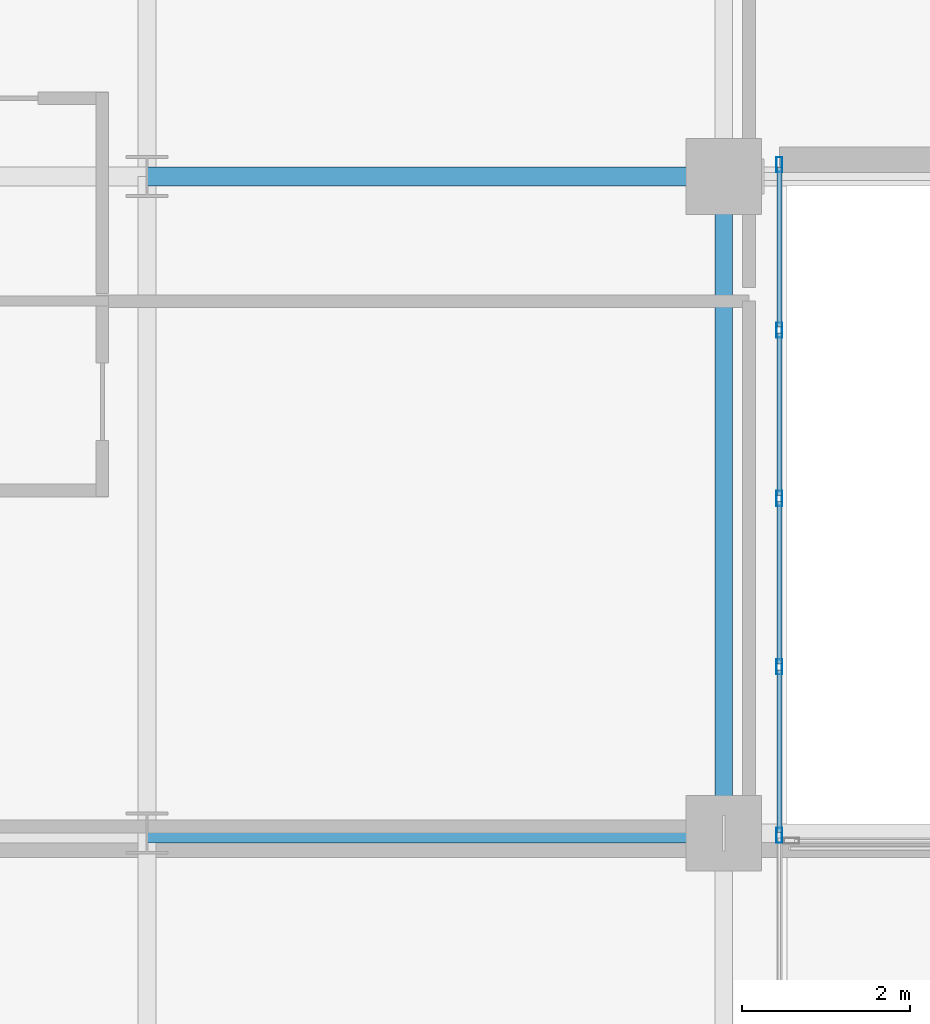
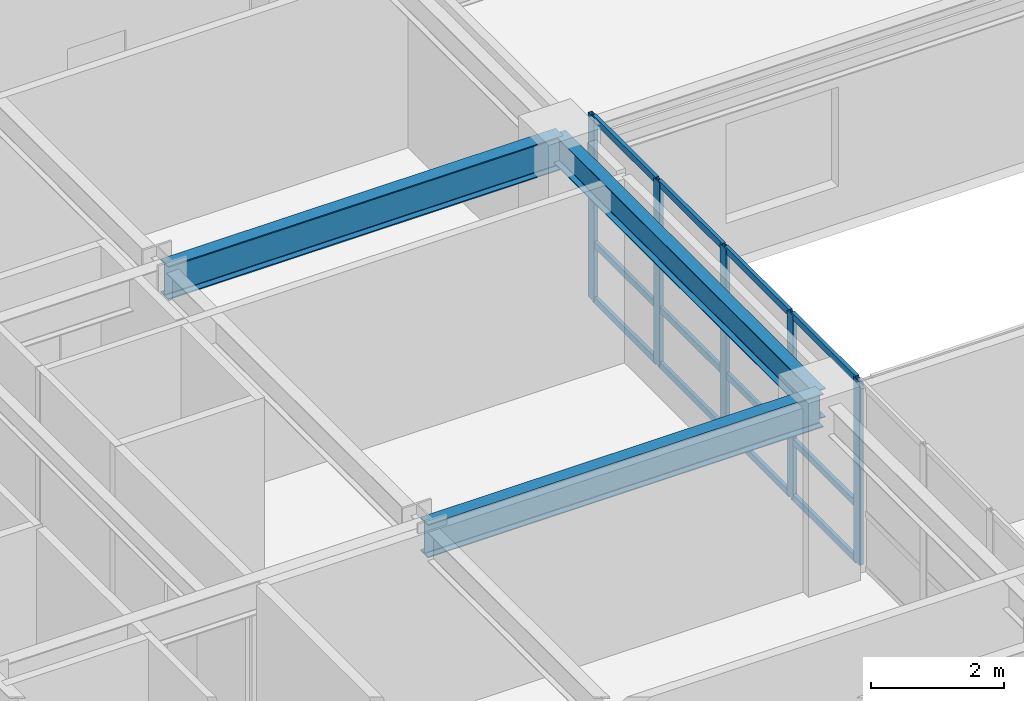
# One storey, part 3 of 25: 17 members, 3 beams, 1 element without a shape of its own.
"""IFC4 building model written with IfcOpenShell, lengths in metres."""

from ifc_helpers import new_model, si_unit, direction, frame, origin, origin_2d, place, context, subcontext, project, spatial, hollow_rectangle, i_section, extrude, source, transform, mapped, material, layer, layer_set, material_profile, profile_set, type_object, type_shapes, element, aggregate, save


model = new_model("IFC4")

# Units and contexts
model_context = context("Model", 3, precision=1e-05, world=origin(), true_north=direction((0.0, 1.0)))
body_context = subcontext(model_context, "Body", "Model", "MODEL_VIEW")
ifc_project = project(units=[si_unit("LENGTHUNIT", "METRE"), si_unit("AREAUNIT", "SQUARE_METRE"), si_unit("VOLUMEUNIT", "CUBIC_METRE"), si_unit("PLANEANGLEUNIT", "RADIAN"), si_unit("MASSUNIT", "GRAM", prefix="KILO")], contexts=[model_context])

# Site, building, storey
site_placement = place(None, origin())
site = spatial("IfcSite", under=ifc_project, at=site_placement, CompositionType="ELEMENT")
building_placement = place(site_placement, origin())
building = spatial("IfcBuilding", under=site, at=building_placement, Name="Tolvann Quenvar Hotel", CompositionType="ELEMENT")
storey_placement = place(building_placement, frame((0.0, 0.0, 78.14990234375)))
storey = spatial("IfcBuildingStorey", under=building, at=storey_placement, Name="L19", CompositionType="ELEMENT", Elevation=78.14990234375)

# Beams
ifc_material_1 = material(Name="Steel Grade 350", Category="steel")
ifc_material_profile_1 = material_profile(ifc_material_1, i_section(OverallWidth=0.22900390625, OverallDepth=0.612060546875, WebThickness=0.011962890625, FlangeThickness=0.01953125, FilletRadius=0.013916015625, at=origin_2d()), Name="610UB125")
ifc_profile_set_1 = profile_set([ifc_material_profile_1], Name="Steel Grade 350")
beam_type_1 = type_object("IfcBeamType", Name="BM_GIRD_610UB125", PredefinedType="BEAM", material=ifc_profile_set_1)
shared_shape_1 = source(origin(), body_context, "Body", "SweptSolid", [
    extrude(i_section(OverallWidth=0.22900390625, OverallDepth=0.612060546875, WebThickness=0.011962890625, FlangeThickness=0.01953125, FilletRadius=0.013916015625, at=origin_2d()), origin(), (0.0, 0.0, 1.0), 6.85009765625),
])
type_shapes(beam_type_1, [shared_shape_1])
for number, where, z_axis, x_axis, name in (
    (1, (15.199951171875, 8.199951171875, 3.064208984375), (1.0, 0.0, 0.0), (0.0, 1.0, 0.0), "BM-L19-EW-3-D3-E3"),
    (2, (15.199951171875, 16.0, 3.064208984375), (1.0, 0.0, 0.0), (0.0, 1.0, 0.0), "BM-L19-EW-4-D4-E4"),
):
    element("IfcBeam", number, at=place(storey_placement, frame(where, z_axis=z_axis, x_axis=x_axis)), inside=storey, type_object=beam_type_1, Name=name, PredefinedType="BEAM", context=body_context, shape_type="MappedRepresentation", body=[
        mapped(shared_shape_1, transform((0.0, 0.0, 0.0), x_axis=(1.0, 0.0, 0.0), y_axis=(0.0, 1.0, 0.0), z_axis=(0.0, 0.0, 1.0), scale=1.0)),
    ])
ifc_material_profile_2 = material_profile(ifc_material_1, i_section(OverallWidth=0.208984375, OverallDepth=0.532958984375, WebThickness=0.01025390625, FlangeThickness=0.015625, FilletRadius=0.013916015625, at=origin_2d()), Name="530UB92")
ifc_profile_set_2 = profile_set([ifc_material_profile_2], Name="Steel Grade 350")
beam_type_2 = type_object("IfcBeamType", Name="BM_GIRD_530UB92", PredefinedType="BEAM", material=ifc_profile_set_2)
shared_shape_2 = source(origin(), body_context, "Body", "SweptSolid", [
    extrude(i_section(OverallWidth=0.208984375, OverallDepth=0.532958984375, WebThickness=0.01025390625, FlangeThickness=0.015625, FilletRadius=0.013916015625, at=origin_2d()), origin(), (0.0, 0.0, 1.0), 7.800048828125),
])
type_shapes(beam_type_2, [shared_shape_2])
beam_placement = place(storey_placement, frame((22.050048828125, 8.199951171875, 3.103515625), z_axis=(0.0, 1.0, 0.0), x_axis=(-1.0, 0.0, 0.0)))
element("IfcBeam", 3, at=beam_placement, inside=storey, type_object=beam_type_2, Name="BM-L19-NS-E3-E4", PredefinedType="BEAM", context=body_context, shape_type="MappedRepresentation", body=[
    mapped(shared_shape_2, transform((0.0, 0.0, 0.0), x_axis=(1.0, 0.0, 0.0), y_axis=(0.0, 1.0, 0.0), z_axis=(0.0, 0.0, 1.0), scale=1.0)),
])

# Curtain wall, members
ifc_material_2 = material(Name="Thermally broken anodised architectural aluminium 6063-T6 and laminated low-E glass", Category="aluminium")
ifc_layer = layer(ifc_material_2, 0.179931640625)
ifc_layer_set = layer_set([ifc_layer], Name="Thermally broken anodised architectural aluminium 6063-T6 and laminated low-E glass")
curtain_wall_type = type_object("IfcCurtainWallType", Name="CW_SYS_SLOT_03", PredefinedType="USERDEFINED", material=ifc_layer_set)
curtain_wall_placement = place(storey_placement, origin())
curtain_wall = element("IfcCurtainWall", 4, at=curtain_wall_placement, inside=storey, type_object=curtain_wall_type, Name="Curtain Wall CW-SLOT-03 (CWR-L19-E05)", ObjectType="UNITISED CURTAIN WALL", PredefinedType="USERDEFINED")
ifc_material_3 = material(Name="Anodised architectural aluminium 6063-T6 framing", Category="aluminium")
ifc_material_profile_3 = material_profile(ifc_material_3, hollow_rectangle(XDim=0.070068359375, YDim=0.179931640625, WallThickness=0.00390625, at=origin_2d()), Name="180x70x4RHS")
ifc_profile_set_3 = profile_set([ifc_material_profile_3], Name="Anodised architectural aluminium 6063-T6 framing")
member_type_1 = type_object("IfcMemberType", Name="CW_MULL_180x70", PredefinedType="MULLION", material=ifc_profile_set_3)
shared_shape_3 = source(origin(), body_context, "Body", "SweptSolid", [
    extrude(hollow_rectangle(XDim=0.070068359375, YDim=0.179931640625, WallThickness=0.00390625, at=origin_2d()), origin(), (0.0, 0.0, 1.0), 3.3701171875),
])
type_shapes(member_type_1, [shared_shape_3])
member_1_placement = place(storey_placement, frame((22.7099609375, 8.175048828125, 0.0), z_axis=(0.0, 0.0, 1.0), x_axis=(-1.0, 0.0, 0.0)))
member_1 = element("IfcMember", 5, at=member_1_placement, type_object=member_type_1, Name="CW-SLOT-03 mullion 5", PredefinedType="MULLION", context=body_context, shape_type="MappedRepresentation", body=[
    mapped(shared_shape_3, transform((0.0, 0.0, 0.0), x_axis=(1.0, 0.0, 0.0), y_axis=(0.0, 1.0, 0.0), z_axis=(0.0, 0.0, 1.0), scale=1.0)),
])
member_2_placement = place(storey_placement, frame((22.7099609375, 10.175048828125, 0.0), z_axis=(0.0, 0.0, 1.0), x_axis=(-1.0, 0.0, 0.0)))
member_2 = element("IfcMember", 6, at=member_2_placement, type_object=member_type_1, Name="CW-SLOT-03 mullion 6", PredefinedType="MULLION", context=body_context, shape_type="MappedRepresentation", body=[
    mapped(shared_shape_3, transform((0.0, 0.0, 0.0), x_axis=(1.0, 0.0, 0.0), y_axis=(0.0, 1.0, 0.0), z_axis=(0.0, 0.0, 1.0), scale=1.0)),
])
member_3_placement = place(storey_placement, frame((22.7099609375, 12.175048828125, 0.0), z_axis=(0.0, 0.0, 1.0), x_axis=(-1.0, 0.0, 0.0)))
member_3 = element("IfcMember", 7, at=member_3_placement, type_object=member_type_1, Name="CW-SLOT-03 mullion 7", PredefinedType="MULLION", context=body_context, shape_type="MappedRepresentation", body=[
    mapped(shared_shape_3, transform((0.0, 0.0, 0.0), x_axis=(1.0, 0.0, 0.0), y_axis=(0.0, 1.0, 0.0), z_axis=(0.0, 0.0, 1.0), scale=1.0)),
])
member_4_placement = place(storey_placement, frame((22.7099609375, 14.175048828125, 0.0), z_axis=(0.0, 0.0, 1.0), x_axis=(-1.0, 0.0, 0.0)))
member_4 = element("IfcMember", 8, at=member_4_placement, type_object=member_type_1, Name="CW-SLOT-03 mullion 8", PredefinedType="MULLION", context=body_context, shape_type="MappedRepresentation", body=[
    mapped(shared_shape_3, transform((0.0, 0.0, 0.0), x_axis=(1.0, 0.0, 0.0), y_axis=(0.0, 1.0, 0.0), z_axis=(0.0, 0.0, 1.0), scale=1.0)),
])
member_5_placement = place(storey_placement, frame((22.7099609375, 16.139892578125, 0.0), z_axis=(0.0, 0.0, 1.0), x_axis=(-1.0, 0.0, 0.0)))
member_5 = element("IfcMember", 9, at=member_5_placement, type_object=member_type_1, Name="CW-SLOT-03 mullion 9", PredefinedType="MULLION", context=body_context, shape_type="MappedRepresentation", body=[
    mapped(shared_shape_3, transform((0.0, 0.0, 0.0), x_axis=(1.0, 0.0, 0.0), y_axis=(0.0, 1.0, 0.0), z_axis=(0.0, 0.0, 1.0), scale=1.0)),
])
ifc_material_profile_4 = material_profile(ifc_material_3, hollow_rectangle(XDim=0.06005859375, YDim=0.1201171875, WallThickness=0.00341796875, at=origin_2d()), Name="120x60x3.5RHS")
ifc_profile_set_4 = profile_set([ifc_material_profile_4], Name="Anodised architectural aluminium 6063-T6 framing")
member_type_2 = type_object("IfcMemberType", Name="CW_TRAN_120x60", PredefinedType="USERDEFINED", material=ifc_profile_set_4)
shared_shape_4 = source(origin(), body_context, "Body", "SweptSolid", [
    extrude(hollow_rectangle(XDim=0.06005859375, YDim=0.1201171875, WallThickness=0.00341796875, at=origin_2d()), origin(), (0.0, 0.0, 1.0), 1.929931640625),
])
member_6_placement = place(storey_placement, frame((22.7099609375, 8.2099609375, 0.030029296875), z_axis=(0.0, 1.0, 0.0), x_axis=(-1.0, 0.0, 0.0)))
member_6 = element("IfcMember", 10, at=member_6_placement, type_object=member_type_2, Name="CW-SLOT-03 transom 5.1", ObjectType="TRANSOM", PredefinedType="USERDEFINED", context=body_context, shape_type="MappedRepresentation", body=[
    mapped(shared_shape_4, transform((0.0, 0.0, 0.0), x_axis=(1.0, 0.0, 0.0), y_axis=(0.0, 1.0, 0.0), z_axis=(0.0, 0.0, 1.0), scale=1.0)),
])
member_7_placement = place(storey_placement, frame((22.7099609375, 8.2099609375, 1.050048828125), z_axis=(0.0, 1.0, 0.0), x_axis=(-1.0, 0.0, 0.0)))
member_7 = element("IfcMember", 11, at=member_7_placement, type_object=member_type_2, Name="CW-SLOT-03 transom 5.2", ObjectType="TRANSOM", PredefinedType="USERDEFINED", context=body_context, shape_type="MappedRepresentation", body=[
    mapped(shared_shape_4, transform((0.0, 0.0, 0.0), x_axis=(1.0, 0.0, 0.0), y_axis=(0.0, 1.0, 0.0), z_axis=(0.0, 0.0, 1.0), scale=1.0)),
])
member_8_placement = place(storey_placement, frame((22.7099609375, 8.2099609375, 3.340087890625), z_axis=(0.0, 1.0, 0.0), x_axis=(-1.0, 0.0, 0.0)))
member_8 = element("IfcMember", 12, at=member_8_placement, type_object=member_type_2, Name="CW-SLOT-03 transom 5.3", ObjectType="TRANSOM", PredefinedType="USERDEFINED", context=body_context, shape_type="MappedRepresentation", body=[
    mapped(shared_shape_4, transform((0.0, 0.0, 0.0), x_axis=(1.0, 0.0, 0.0), y_axis=(0.0, 1.0, 0.0), z_axis=(0.0, 0.0, 1.0), scale=1.0)),
])
member_9_placement = place(storey_placement, frame((22.7099609375, 10.2099609375, 0.030029296875), z_axis=(0.0, 1.0, 0.0), x_axis=(-1.0, 0.0, 0.0)))
member_9 = element("IfcMember", 13, at=member_9_placement, type_object=member_type_2, Name="CW-SLOT-03 transom 6.1", ObjectType="TRANSOM", PredefinedType="USERDEFINED", context=body_context, shape_type="MappedRepresentation", body=[
    mapped(shared_shape_4, transform((0.0, 0.0, 0.0), x_axis=(1.0, 0.0, 0.0), y_axis=(0.0, 1.0, 0.0), z_axis=(0.0, 0.0, 1.0), scale=1.0)),
])
member_10_placement = place(storey_placement, frame((22.7099609375, 10.2099609375, 1.050048828125), z_axis=(0.0, 1.0, 0.0), x_axis=(-1.0, 0.0, 0.0)))
member_10 = element("IfcMember", 14, at=member_10_placement, type_object=member_type_2, Name="CW-SLOT-03 transom 6.2", ObjectType="TRANSOM", PredefinedType="USERDEFINED", context=body_context, shape_type="MappedRepresentation", body=[
    mapped(shared_shape_4, transform((0.0, 0.0, 0.0), x_axis=(1.0, 0.0, 0.0), y_axis=(0.0, 1.0, 0.0), z_axis=(0.0, 0.0, 1.0), scale=1.0)),
])
member_11_placement = place(storey_placement, frame((22.7099609375, 10.2099609375, 3.340087890625), z_axis=(0.0, 1.0, 0.0), x_axis=(-1.0, 0.0, 0.0)))
member_11 = element("IfcMember", 15, at=member_11_placement, type_object=member_type_2, Name="CW-SLOT-03 transom 6.3", ObjectType="TRANSOM", PredefinedType="USERDEFINED", context=body_context, shape_type="MappedRepresentation", body=[
    mapped(shared_shape_4, transform((0.0, 0.0, 0.0), x_axis=(1.0, 0.0, 0.0), y_axis=(0.0, 1.0, 0.0), z_axis=(0.0, 0.0, 1.0), scale=1.0)),
])
member_12_placement = place(storey_placement, frame((22.7099609375, 12.2099609375, 0.030029296875), z_axis=(0.0, 1.0, 0.0), x_axis=(-1.0, 0.0, 0.0)))
member_12 = element("IfcMember", 16, at=member_12_placement, type_object=member_type_2, Name="CW-SLOT-03 transom 7.1", ObjectType="TRANSOM", PredefinedType="USERDEFINED", context=body_context, shape_type="MappedRepresentation", body=[
    mapped(shared_shape_4, transform((0.0, 0.0, 0.0), x_axis=(1.0, 0.0, 0.0), y_axis=(0.0, 1.0, 0.0), z_axis=(0.0, 0.0, 1.0), scale=1.0)),
])
member_13_placement = place(storey_placement, frame((22.7099609375, 12.2099609375, 1.050048828125), z_axis=(0.0, 1.0, 0.0), x_axis=(-1.0, 0.0, 0.0)))
member_13 = element("IfcMember", 17, at=member_13_placement, type_object=member_type_2, Name="CW-SLOT-03 transom 7.2", ObjectType="TRANSOM", PredefinedType="USERDEFINED", context=body_context, shape_type="MappedRepresentation", body=[
    mapped(shared_shape_4, transform((0.0, 0.0, 0.0), x_axis=(1.0, 0.0, 0.0), y_axis=(0.0, 1.0, 0.0), z_axis=(0.0, 0.0, 1.0), scale=1.0)),
])
member_14_placement = place(storey_placement, frame((22.7099609375, 12.2099609375, 3.340087890625), z_axis=(0.0, 1.0, 0.0), x_axis=(-1.0, 0.0, 0.0)))
member_14 = element("IfcMember", 18, at=member_14_placement, type_object=member_type_2, Name="CW-SLOT-03 transom 7.3", ObjectType="TRANSOM", PredefinedType="USERDEFINED", context=body_context, shape_type="MappedRepresentation", body=[
    mapped(shared_shape_4, transform((0.0, 0.0, 0.0), x_axis=(1.0, 0.0, 0.0), y_axis=(0.0, 1.0, 0.0), z_axis=(0.0, 0.0, 1.0), scale=1.0)),
])
shared_shape_5 = source(origin(), body_context, "Body", "SweptSolid", [
    extrude(hollow_rectangle(XDim=0.06005859375, YDim=0.1201171875, WallThickness=0.00341796875, at=origin_2d()), origin(), (0.0, 0.0, 1.0), 1.89501953125),
])
type_shapes(member_type_2, [shared_shape_4, shared_shape_5])
member_15_placement = place(storey_placement, frame((22.7099609375, 14.2099609375, 0.030029296875), z_axis=(0.0, 1.0, 0.0), x_axis=(-1.0, 0.0, 0.0)))
member_15 = element("IfcMember", 19, at=member_15_placement, type_object=member_type_2, Name="CW-SLOT-03 transom 8.1", ObjectType="TRANSOM", PredefinedType="USERDEFINED", context=body_context, shape_type="MappedRepresentation", body=[
    mapped(shared_shape_5, transform((0.0, 0.0, 0.0), x_axis=(1.0, 0.0, 0.0), y_axis=(0.0, 1.0, 0.0), z_axis=(0.0, 0.0, 1.0), scale=1.0)),
])
member_16_placement = place(storey_placement, frame((22.7099609375, 14.2099609375, 1.050048828125), z_axis=(0.0, 1.0, 0.0), x_axis=(-1.0, 0.0, 0.0)))
member_16 = element("IfcMember", 20, at=member_16_placement, type_object=member_type_2, Name="CW-SLOT-03 transom 8.2", ObjectType="TRANSOM", PredefinedType="USERDEFINED", context=body_context, shape_type="MappedRepresentation", body=[
    mapped(shared_shape_5, transform((0.0, 0.0, 0.0), x_axis=(1.0, 0.0, 0.0), y_axis=(0.0, 1.0, 0.0), z_axis=(0.0, 0.0, 1.0), scale=1.0)),
])
member_17_placement = place(storey_placement, frame((22.7099609375, 14.2099609375, 3.340087890625), z_axis=(0.0, 1.0, 0.0), x_axis=(-1.0, 0.0, 0.0)))
member_17 = element("IfcMember", 21, at=member_17_placement, type_object=member_type_2, Name="CW-SLOT-03 transom 8.3", ObjectType="TRANSOM", PredefinedType="USERDEFINED", context=body_context, shape_type="MappedRepresentation", body=[
    mapped(shared_shape_5, transform((0.0, 0.0, 0.0), x_axis=(1.0, 0.0, 0.0), y_axis=(0.0, 1.0, 0.0), z_axis=(0.0, 0.0, 1.0), scale=1.0)),
])
aggregate(curtain_wall, [member_1, member_2, member_3, member_4, member_5, member_6, member_7, member_8, member_9, member_10, member_11, member_12, member_13, member_14, member_15, member_16, member_17])

save(model, "model.ifc")
